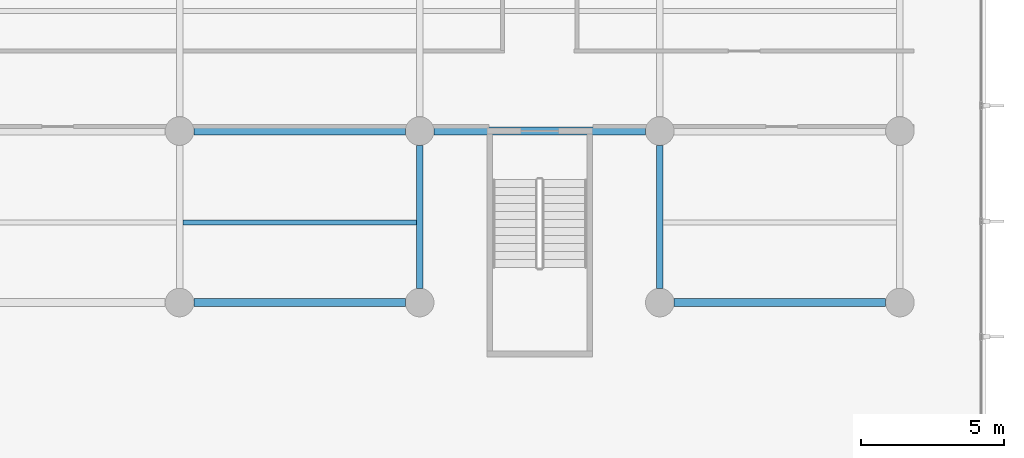
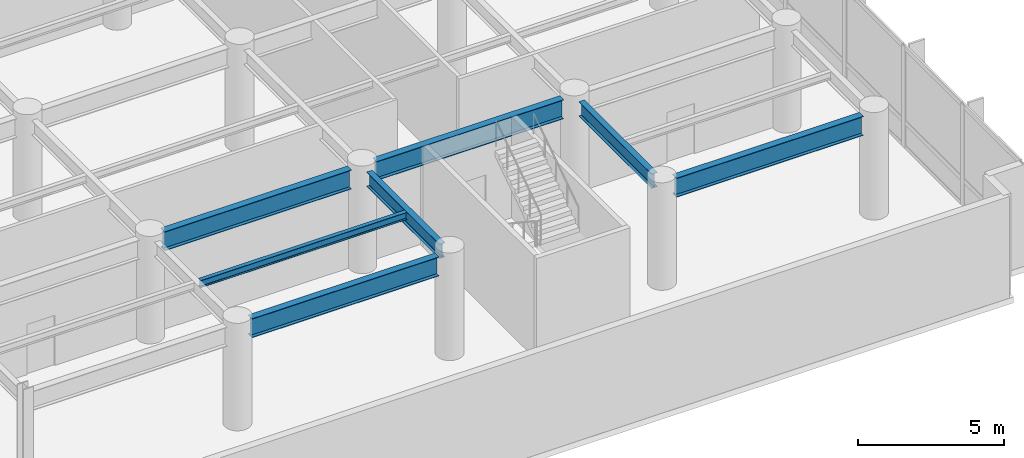
# One storey, part 6 of 26: 7 beams.
"""IFC4 building model written with IfcOpenShell, lengths in metres."""

from ifc_helpers import new_model, si_unit, direction, frame, origin, origin_2d, place, context, subcontext, project, spatial, i_section, extrude, material, material_profile, profile_set, type_object, element, save


model = new_model("IFC4")

# Units and contexts
model_context = context("Model", 3, precision=1e-05, world=origin(), true_north=direction((0.0, 1.0)))
body_context = subcontext(model_context, "Body", "Model", "MODEL_VIEW")
ifc_project = project(units=[si_unit("LENGTHUNIT", "METRE"), si_unit("AREAUNIT", "SQUARE_METRE"), si_unit("VOLUMEUNIT", "CUBIC_METRE"), si_unit("PLANEANGLEUNIT", "RADIAN"), si_unit("MASSUNIT", "GRAM", prefix="KILO")], contexts=[model_context])

# Site, building, storey
site_placement = place(None, origin())
site = spatial("IfcSite", under=ifc_project, at=site_placement, CompositionType="ELEMENT")
building_placement = place(site_placement, origin())
building = spatial("IfcBuilding", under=site, at=building_placement, Name="Varnakote Quay Hospital", CompositionType="ELEMENT")
storey_placement = place(building_placement, frame((0.0, 0.0, 4.5)))
storey = spatial("IfcBuildingStorey", under=building, at=storey_placement, Name="L01", CompositionType="ELEMENT", Elevation=4.5)

# Beams
ifc_material_1 = material(Name="Structural steel AS/NZS 3679.1 Grade 350 L0 (fy 340 MPa)", Category="steel")
ifc_material_profile_1 = material_profile(ifc_material_1, i_section(OverallWidth=0.22802734375, OverallDepth=0.60205078125, WebThickness=0.010498046875, FlangeThickness=0.014892578125, FilletRadius=0.013916015625, at=origin_2d()), Name="610UB101")
ifc_profile_set_1 = profile_set([ifc_material_profile_1], Name="Structural steel AS/NZS 3679.1 Grade 350 L0 (fy 340 MPa)")
beam_type_1 = type_object("IfcBeamType", Name="BM-STL-610UB101", PredefinedType="BEAM", material=ifc_profile_set_1)
for number, where, z_axis, x_axis, name in (
    (1, (67.199951171875, 6.5, 3.948974609375), (0.0, 1.0, 0.0), (-1.0, 0.0, 0.0), "L01 Primary Tie Beam"),
    (2, (75.60009765625, 6.5, 3.948974609375), (0.0, 1.0, 0.0), (-1.0, 0.0, 0.0), "L01 Primary Tie Beam"),
):
    element("IfcBeam", number, at=place(storey_placement, frame(where, z_axis=z_axis, x_axis=x_axis)), inside=storey, type_object=beam_type_1, Name=name, PredefinedType="BEAM", context=body_context, shape_type="SweptSolid", body=[
        extrude(i_section(OverallWidth=0.22802734375, OverallDepth=0.60205078125, WebThickness=0.010498046875, FlangeThickness=0.014892578125, FilletRadius=0.013916015625, at=origin_2d()), origin(), (0.0, 0.0, 1.0), 5.0),
    ])
ifc_material_2 = material(Name="Structural steel AS/NZS 3678 Grade 350 (fy 340 MPa)", Category="steel")
ifc_material_profile_2 = material_profile(ifc_material_2, i_section(OverallWidth=0.27490234375, OverallDepth=0.800048828125, WebThickness=0.010009765625, FlangeThickness=0.02001953125, at=origin_2d()), Name="800WB146")
ifc_profile_set_2 = profile_set([ifc_material_profile_2], Name="Structural steel AS/NZS 3678 Grade 350 (fy 340 MPa)")
beam_type_2 = type_object("IfcBeamType", Name="BM-STL-800WB146", PredefinedType="BEAM", material=ifc_profile_set_2)
for number, where, z_axis, x_axis, name in (
    (3, (59.300048828125, 6.0, 3.85009765625), (1.0, 0.0, 0.0), (0.0, 1.0, 0.0), "L01 Primary Floor Beam"),
    (4, (76.10009765625, 6.0, 3.85009765625), (1.0, 0.0, 0.0), (0.0, 1.0, 0.0), "L01 Primary Floor Beam"),
    (5, (59.300048828125, 12.0, 3.85009765625), (1.0, 0.0, 0.0), (0.0, 1.0, 0.0), "L01 Primary Floor Beam"),
):
    element("IfcBeam", number, at=place(storey_placement, frame(where, z_axis=z_axis, x_axis=x_axis)), inside=storey, type_object=beam_type_2, Name=name, PredefinedType="BEAM", context=body_context, shape_type="SweptSolid", body=[
        extrude(i_section(OverallWidth=0.27490234375, OverallDepth=0.800048828125, WebThickness=0.010009765625, FlangeThickness=0.02001953125, at=origin_2d()), origin(), (0.0, 0.0, 1.0), 7.39990234375),
    ])
beam_1_placement = place(storey_placement, frame((67.699951171875, 12.0, 3.85009765625), z_axis=(1.0, 0.0, 0.0), x_axis=(0.0, 1.0, 0.0)))
element("IfcBeam", 6, at=beam_1_placement, inside=storey, type_object=beam_type_2, Name="L01 Primary Floor Beam", PredefinedType="BEAM", context=body_context, shape_type="SweptSolid", body=[
    extrude(i_section(OverallWidth=0.27490234375, OverallDepth=0.800048828125, WebThickness=0.010009765625, FlangeThickness=0.02001953125, at=origin_2d()), origin(), (0.0, 0.0, 1.0), 7.400146484375),
])
ifc_material_3 = material(Name="Structural steel AS/NZS 3679.1 Grade 350 L0 (fy 340 MPa)", Category="steel")
ifc_material_profile_3 = material_profile(ifc_material_3, i_section(OverallWidth=0.166015625, OverallDepth=0.306884765625, WebThickness=0.006591796875, FlangeThickness=0.01171875, FilletRadius=0.011474609375, at=origin_2d()), Name="310UB46.2")
ifc_profile_set_3 = profile_set([ifc_material_profile_3], Name="Structural steel AS/NZS 3679.1 Grade 350 L0 (fy 340 MPa)")
beam_type_3 = type_object("IfcBeamType", Name="JST-STL-310UB46-2", PredefinedType="JOIST", material=ifc_profile_set_3)
beam_2_placement = place(storey_placement, frame((58.9140625, 8.800048828125, 4.096435546875), z_axis=(1.0, 0.0, 0.0), x_axis=(0.0, 1.0, 0.0)))
element("IfcBeam", 7, at=beam_2_placement, inside=storey, type_object=beam_type_3, Name="L01 Composite Floor Joist", PredefinedType="JOIST", context=body_context, shape_type="SweptSolid", body=[
    extrude(i_section(OverallWidth=0.166015625, OverallDepth=0.306884765625, WebThickness=0.006591796875, FlangeThickness=0.01171875, FilletRadius=0.011474609375, at=origin_2d()), origin(), (0.0, 0.0, 1.0), 8.171875),
])

save(model, "model.ifc")
